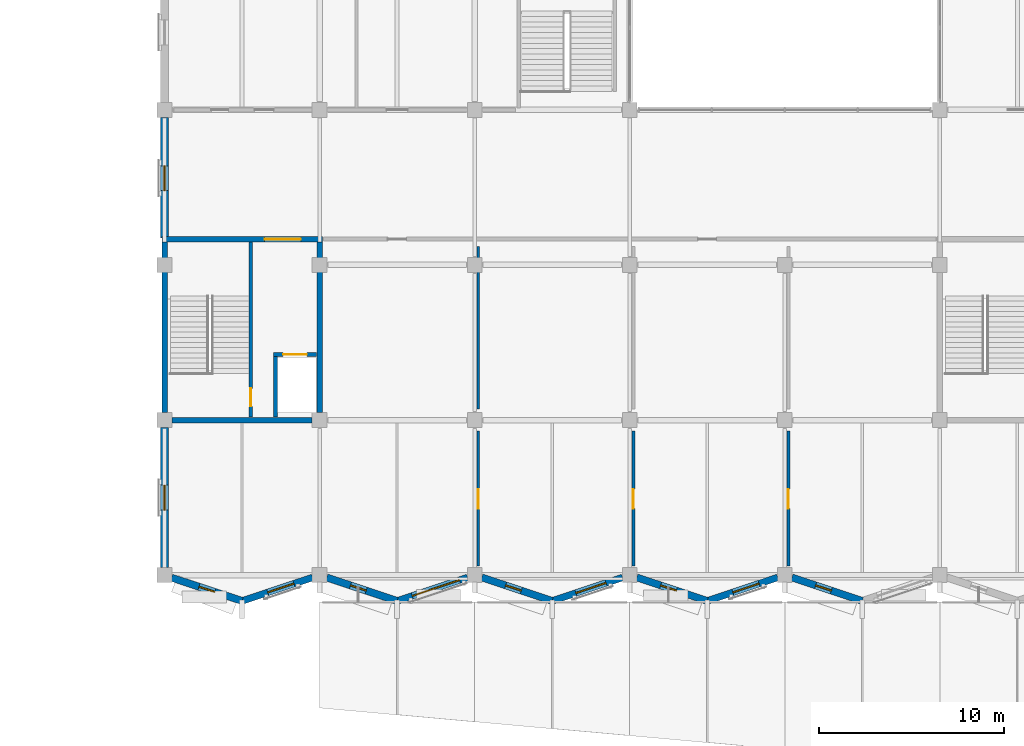
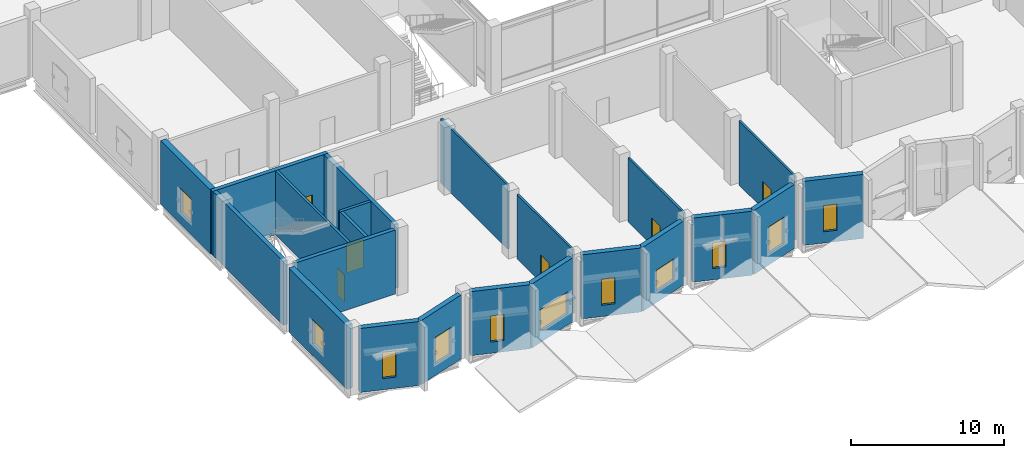
# One storey, part 47 of 72: 22 walls, 11 windows, 6 doors, 17 openings.
"""IFC4 building model written with IfcOpenShell, lengths in metres."""

from ifc_helpers import new_model, si_unit, direction, frame, frame_2d, origin, place, context, subcontext, project, spatial, rectangle, extrude, material, layer, layer_set, type_object, element, fill, save


model = new_model("IFC4")

# Units and contexts
model_context = context("Model", 3, precision=1e-05, world=origin(), true_north=direction((0.0, 1.0)))
body_context = subcontext(model_context, "Body", "Model", "MODEL_VIEW")
ifc_project = project(units=[si_unit("LENGTHUNIT", "METRE"), si_unit("AREAUNIT", "SQUARE_METRE"), si_unit("VOLUMEUNIT", "CUBIC_METRE"), si_unit("PLANEANGLEUNIT", "RADIAN"), si_unit("MASSUNIT", "GRAM", prefix="KILO")], contexts=[model_context])

# Site, building, storey
site_placement = place(None, origin())
site = spatial("IfcSite", under=ifc_project, at=site_placement, CompositionType="ELEMENT")
building_placement = place(site_placement, origin())
building = spatial("IfcBuilding", under=site, at=building_placement, Name="Qawsi Khor Wholesale Market", CompositionType="ELEMENT")
storey_placement = place(building_placement, frame((0.0, 0.0, 6.0)))
storey = spatial("IfcBuildingStorey", under=building, at=storey_placement, Name="L01", CompositionType="ELEMENT", Elevation=6.0)

# Walls
ifc_material_1 = material(Name="Concrete C40/50", Category="concrete")
ifc_layer_1 = layer(ifc_material_1, 0.300048828125, Name="Concrete C40/50")
ifc_layer_set_1 = layer_set([ifc_layer_1], Name="Concrete C40/50")
wall_type_1 = type_object("IfcWallType", Name="Core Shear Wall RC 300 C40/50", PredefinedType="SHEAR", material=ifc_layer_set_1)
wall_1_placement = place(storey_placement, frame((33.195068359375, 8.39990234375, 0.0), z_axis=(0.0, 0.0, 1.0), x_axis=(-1.0, 0.0, 0.0)))
element("IfcWall", 1, at=wall_1_placement, inside=storey, type_object=wall_type_1, Name="Core C01 south shear wall L01", PredefinedType="SHEAR", context=body_context, shape_type="SweptSolid", body=[
    extrude(rectangle(XDim=7.590087890625, YDim=0.300048828125, at=frame_2d((3.794921875, 0.0))), origin(), (0.0, 0.0, 1.0), 5.1201171875),
])
wall_2_placement = place(storey_placement, frame((25.199951171875, 8.804931640625, 0.0), z_axis=(0.0, 0.0, 1.0), x_axis=(0.0, 1.0, 0.0)))
element("IfcWall", 2, at=wall_2_placement, inside=storey, type_object=wall_type_1, Name="Core C01 west shear wall L01", PredefinedType="SHEAR", context=body_context, shape_type="SweptSolid", body=[
    extrude(rectangle(XDim=9.2451171875, YDim=0.300048828125, at=frame_2d((4.62255859375, 0.0))), origin(), (0.0, 0.0, 1.0), 5.1201171875),
])

# Wall, opening, door
wall_3_placement = place(storey_placement, frame((25.050048828125, 18.199951171875, 0.0), z_axis=(0.0, 0.0, 1.0), x_axis=(1.0, 0.0, 0.0)))
wall_3 = element("IfcWall", 3, at=wall_3_placement, inside=storey, type_object=wall_type_1, Name="Core C01 north shear wall L01", PredefinedType="SHEAR", context=body_context, shape_type="SweptSolid", body=[
    extrude(rectangle(XDim=8.699951171875, YDim=0.300048828125, at=frame_2d((4.35009765625, 0.0))), origin(), (0.0, 0.0, 1.0), 5.1201171875),
])
opening_1_placement = place(wall_3_placement, frame((5.570068359375, 0.0, 0.0)))
opening_1 = element("IfcOpeningElement", 4, at=opening_1_placement, cuts=wall_3, Name="Opening ID-01", PredefinedType="OPENING", context=body_context, shape_type="SweptSolid", body=[
    extrude(rectangle(XDim=1.9599609375, YDim=2.199951171875, at=frame_2d((0.97998046875, 1.10009765625))), frame((0.0, 0.159912109375, 0.0), z_axis=(0.0, -1.0, 0.0), x_axis=(1.0, 0.0, 0.0)), (0.0, 0.0, 1.0), 0.320068359375),
])
ifc_material_2 = material(Name="Steel Fire Door", Category="steel")
door_type_1 = type_object("IfcDoorType", Name="Stair & Core Fire Door 1960x2200 FD90S", OperationType="NOTDEFINED", PredefinedType="DOOR", material=ifc_material_2)
door_1_placement = place(opening_1_placement, origin())
door_1 = element("IfcDoor", 5, at=door_1_placement, inside=storey, type_object=door_type_1, Name="Core C01 fire door L01", OperationType="DOUBLE_DOOR_SINGLE_SWING", OverallHeight=2.199951171875, OverallWidth=1.9599609375, PredefinedType="DOOR", context=body_context, shape_type="SweptSolid", body=[
    extrude(rectangle(XDim=1.9599609375, YDim=2.199951171875, at=frame_2d((0.97998046875, 1.10009765625))), frame((0.0, 0.02490234375, 0.0), z_axis=(0.0, -1.0, 0.0), x_axis=(1.0, 0.0, 0.0)), (0.0, 0.0, 1.0), 0.050048828125),
])
fill(opening_1, door_1)

# Walls
wall_4_placement = place(storey_placement, frame((33.60009765625, 18.050048828125, 0.0), z_axis=(0.0, 0.0, 1.0), x_axis=(0.0, -1.0, 0.0)))
element("IfcWall", 6, at=wall_4_placement, inside=storey, type_object=wall_type_1, Name="Core C01 east shear wall L01", PredefinedType="SHEAR", context=body_context, shape_type="SweptSolid", body=[
    extrude(rectangle(XDim=9.2451171875, YDim=0.300048828125, at=frame_2d((4.62255859375, 0.0))), origin(), (0.0, 0.0, 1.0), 5.1201171875),
])
ifc_layer_2 = layer(ifc_material_1, 0.219970703125, Name="Concrete C40/50")
ifc_layer_set_2 = layer_set([ifc_layer_2], Name="Concrete C40/50")
wall_type_2 = type_object("IfcWallType", Name="Lift & Stair Shaft Wall RC 220", PredefinedType="SOLIDWALL", material=ifc_layer_set_2)
wall_5_placement = place(storey_placement, frame((31.2099609375, 8.56005859375, 0.0), z_axis=(0.0, 0.0, 1.0), x_axis=(0.0, 1.0, 0.0)))
element("IfcWall", 7, at=wall_5_placement, inside=storey, type_object=wall_type_2, Name="Lift FF-01 shaft wall W L01", PredefinedType="SOLIDWALL", context=body_context, shape_type="SweptSolid", body=[
    extrude(rectangle(XDim=3.389892578125, YDim=0.219970703125, at=frame_2d((1.69482421875, 0.0))), origin(), (0.0, 0.0, 1.0), 5.1201171875),
])

# Wall, opening, door
wall_6_placement = place(storey_placement, frame((31.10009765625, 11.949951171875, 0.0), z_axis=(0.0, 0.0, 1.0), x_axis=(1.0, 0.0, 0.0)))
wall_6 = element("IfcWall", 8, at=wall_6_placement, inside=storey, type_object=wall_type_2, Name="Lift FF-01 shaft wall N L01", PredefinedType="SOLIDWALL", context=body_context, shape_type="SweptSolid", body=[
    extrude(rectangle(XDim=2.33984375, YDim=0.219970703125, at=frame_2d((1.169921875, 0.0))), origin(), (0.0, 0.0, 1.0), 5.1201171875),
])
opening_2_placement = place(wall_6_placement, frame((0.530029296875, 0.0, 0.0)))
opening_2 = element("IfcOpeningElement", 9, at=opening_2_placement, cuts=wall_6, Name="Opening LD-FF130", PredefinedType="OPENING", context=body_context, shape_type="SweptSolid", body=[
    extrude(rectangle(XDim=1.280029296875, YDim=2.25, at=frame_2d((0.64013671875, 1.125))), frame((0.0, 0.119873046875, 0.0), z_axis=(0.0, -1.0, 0.0), x_axis=(1.0, 0.0, 0.0)), (0.0, 0.0, 1.0), 0.239990234375),
])
ifc_material_3 = material(Name="Brushed Stainless Steel", Category="steel")
door_type_2 = type_object("IfcDoorType", Name="Firefighting Lift Landing Sliding Door 1280x2250 FD90S", OperationType="NOTDEFINED", PredefinedType="DOOR", material=ifc_material_3)
door_2_placement = place(opening_2_placement, origin())
door_2 = element("IfcDoor", 10, at=door_2_placement, inside=storey, type_object=door_type_2, Name="Lift FF-01 landing door L01", OperationType="SLIDING_TO_RIGHT", OverallHeight=2.25, OverallWidth=1.280029296875, PredefinedType="DOOR", context=body_context, shape_type="SweptSolid", body=[
    extrude(rectangle(XDim=1.280029296875, YDim=2.25, at=frame_2d((0.64013671875, 1.125))), frame((0.0, 0.02490234375, 0.0), z_axis=(0.0, -1.0, 0.0), x_axis=(1.0, 0.0, 0.0)), (0.0, 0.0, 1.0), 0.050048828125),
])
fill(opening_2, door_2)

ifc_material_4 = material(Name="Gypsum Board on Metal Stud", Category="gypsum")
ifc_layer_3 = layer(ifc_material_4, 0.14990234375, Name="Gypsum Board on Metal Stud")
ifc_layer_set_3 = layer_set([ifc_layer_3], Name="Gypsum Board on Metal Stud")
wall_type_3 = type_object("IfcWallType", Name="Office Partition Wall 150", PredefinedType="PARTITIONING", material=ifc_layer_set_3)
wall_7_placement = place(storey_placement, frame((42.199951171875, 0.5, 0.0), z_axis=(0.0, 0.0, 1.0), x_axis=(0.0, 1.0, 0.0)))
wall_7 = element("IfcWall", 11, at=wall_7_placement, inside=storey, type_object=wall_type_3, Name="PW-L01-043", PredefinedType="PARTITIONING", context=body_context, shape_type="SweptSolid", body=[
    extrude(rectangle(XDim=7.300048828125, YDim=0.14990234375, at=frame_2d((3.64990234375, 0.0))), origin(), (0.0, 0.0, 1.0), 5.1201171875),
])
opening_3_placement = place(wall_7_placement, frame((3.10009765625, 0.0, 0.0)))
opening_3 = element("IfcOpeningElement", 12, at=opening_3_placement, cuts=wall_7, Name="Opening ID-07", PredefinedType="OPENING", context=body_context, shape_type="SweptSolid", body=[
    extrude(rectangle(XDim=1.06005859375, YDim=2.179931640625, at=frame_2d((0.530029296875, 1.08984375))), frame((0.0, 0.0849609375, 0.0), z_axis=(0.0, -1.0, 0.0), x_axis=(1.0, 0.0, 0.0)), (0.0, 0.0, 1.0), 0.169921875),
])
ifc_material_5 = material(Name="Hardwood Timber Veneer", Category="wood")
door_type_3 = type_object("IfcDoorType", Name="Clearinghouse Suite Door 1060x2180", OperationType="NOTDEFINED", PredefinedType="DOOR", material=ifc_material_5)
door_3_placement = place(opening_3_placement, origin())
door_3 = element("IfcDoor", 13, at=door_3_placement, inside=storey, type_object=door_type_3, Name="Clearinghouse Suite Door 1060x2180 L01-050", OperationType="SINGLE_SWING_RIGHT", OverallHeight=2.179931640625, OverallWidth=1.06005859375, PredefinedType="DOOR", context=body_context, shape_type="SweptSolid", body=[
    extrude(rectangle(XDim=1.06005859375, YDim=2.179931640625, at=frame_2d((0.530029296875, 1.08984375))), frame((0.0, 0.02490234375, 0.0), z_axis=(0.0, -1.0, 0.0), x_axis=(1.0, 0.0, 0.0)), (0.0, 0.0, 1.0), 0.050048828125),
])
fill(opening_3, door_3)

# Wall
wall_8_placement = place(storey_placement, frame((42.199951171875, 9.0, 0.0), z_axis=(0.0, 0.0, 1.0), x_axis=(0.0, 1.0, 0.0)))
element("IfcWall", 14, at=wall_8_placement, inside=storey, type_object=wall_type_3, Name="PW-L01-044", PredefinedType="PARTITIONING", context=body_context, shape_type="SweptSolid", body=[
    extrude(rectangle(XDim=8.800048828125, YDim=0.14990234375, at=frame_2d((4.39990234375, 0.0))), origin(), (0.0, 0.0, 1.0), 5.1201171875),
])

# Wall, opening, door
wall_9_placement = place(storey_placement, frame((50.60009765625, 0.5, 0.0), z_axis=(0.0, 0.0, 1.0), x_axis=(0.0, 1.0, 0.0)))
wall_9 = element("IfcWall", 15, at=wall_9_placement, inside=storey, type_object=wall_type_3, Name="PW-L01-045", PredefinedType="PARTITIONING", context=body_context, shape_type="SweptSolid", body=[
    extrude(rectangle(XDim=7.300048828125, YDim=0.14990234375, at=frame_2d((3.64990234375, 0.0))), origin(), (0.0, 0.0, 1.0), 5.1201171875),
])
opening_4_placement = place(wall_9_placement, frame((3.10009765625, 0.0, 0.0)))
opening_4 = element("IfcOpeningElement", 16, at=opening_4_placement, cuts=wall_9, Name="Opening ID-07", PredefinedType="OPENING", context=body_context, shape_type="SweptSolid", body=[
    extrude(rectangle(XDim=1.06005859375, YDim=2.179931640625, at=frame_2d((0.530029296875, 1.08984375))), frame((0.0, 0.0849609375, 0.0), z_axis=(0.0, -1.0, 0.0), x_axis=(1.0, 0.0, 0.0)), (0.0, 0.0, 1.0), 0.169921875),
])
door_4_placement = place(opening_4_placement, origin())
door_4 = element("IfcDoor", 17, at=door_4_placement, inside=storey, type_object=door_type_3, Name="Clearinghouse Suite Door 1060x2180 L01-051", OperationType="SINGLE_SWING_LEFT", OverallHeight=2.179931640625, OverallWidth=1.06005859375, PredefinedType="DOOR", context=body_context, shape_type="SweptSolid", body=[
    extrude(rectangle(XDim=1.06005859375, YDim=2.179931640625, at=frame_2d((0.530029296875, 1.08984375))), frame((0.0, 0.02490234375, 0.0), z_axis=(0.0, -1.0, 0.0), x_axis=(1.0, 0.0, 0.0)), (0.0, 0.0, 1.0), 0.050048828125),
])
fill(opening_4, door_4)

wall_10_placement = place(storey_placement, frame((59.0, 0.5, 0.0), z_axis=(0.0, 0.0, 1.0), x_axis=(0.0, 1.0, 0.0)))
wall_10 = element("IfcWall", 18, at=wall_10_placement, inside=storey, type_object=wall_type_3, Name="PW-L01-047", PredefinedType="PARTITIONING", context=body_context, shape_type="SweptSolid", body=[
    extrude(rectangle(XDim=7.300048828125, YDim=0.14990234375, at=frame_2d((3.64990234375, 0.0))), origin(), (0.0, 0.0, 1.0), 5.1201171875),
])
opening_5_placement = place(wall_10_placement, frame((3.10009765625, 0.0, 0.0)))
opening_5 = element("IfcOpeningElement", 19, at=opening_5_placement, cuts=wall_10, Name="Opening ID-07", PredefinedType="OPENING", context=body_context, shape_type="SweptSolid", body=[
    extrude(rectangle(XDim=1.06005859375, YDim=2.179931640625, at=frame_2d((0.530029296875, 1.08984375))), frame((0.0, 0.0849609375, 0.0), z_axis=(0.0, -1.0, 0.0), x_axis=(1.0, 0.0, 0.0)), (0.0, 0.0, 1.0), 0.169921875),
])
door_5_placement = place(opening_5_placement, origin())
door_5 = element("IfcDoor", 20, at=door_5_placement, inside=storey, type_object=door_type_3, Name="Clearinghouse Suite Door 1060x2180 L01-052", OperationType="SINGLE_SWING_RIGHT", OverallHeight=2.179931640625, OverallWidth=1.06005859375, PredefinedType="DOOR", context=body_context, shape_type="SweptSolid", body=[
    extrude(rectangle(XDim=1.06005859375, YDim=2.179931640625, at=frame_2d((0.530029296875, 1.08984375))), frame((0.0, 0.02490234375, 0.0), z_axis=(0.0, -1.0, 0.0), x_axis=(1.0, 0.0, 0.0)), (0.0, 0.0, 1.0), 0.050048828125),
])
fill(opening_5, door_5)

# Wall, opening, window
ifc_layer_4 = layer(ifc_material_1, 0.429931640625, Name="Concrete C40/50")
ifc_layer_set_4 = layer_set([ifc_layer_4], Name="Concrete C40/50")
wall_type_4 = type_object("IfcWallType", Name="Sculpted Ribbed Concrete Facade Wall 430", PredefinedType="SOLIDWALL", material=ifc_layer_set_4)
wall_11_placement = place(storey_placement, frame((25.199951171875, 0.405029296875, 0.0), z_axis=(0.0, 0.0, 1.0), x_axis=(0.0, 1.0, 0.0)))
wall_11 = element("IfcWall", 21, at=wall_11_placement, inside=storey, type_object=wall_type_4, Name="EW-L01-SWW-0", PredefinedType="SOLIDWALL", context=body_context, shape_type="SweptSolid", body=[
    extrude(rectangle(XDim=7.590087890625, YDim=0.429931640625, at=frame_2d((3.794921875, 0.0))), origin(), (0.0, 0.0, 1.0), 5.1201171875),
])
opening_6_placement = place(wall_11_placement, frame((3.1201171875, 0.0, 0.949951171875)))
opening_6 = element("IfcOpeningElement", 22, at=opening_6_placement, cuts=wall_11, Name="Opening W-08", PredefinedType="OPENING", context=body_context, shape_type="SweptSolid", body=[
    extrude(rectangle(XDim=1.35009765625, YDim=1.949951171875, at=frame_2d((0.675048828125, 0.97509765625))), frame((0.0, 0.224853515625, 0.0), z_axis=(0.0, -1.0, 0.0), x_axis=(1.0, 0.0, 0.0)), (0.0, 0.0, 1.0), 0.449951171875),
])
ifc_material_6 = material(Name="Thermally Broken Aluminium & Low-E Glass", Category="aluminium")
window_type_1 = type_object("IfcWindowType", Name="Win W-08 Prayer & Majlis Screened 1350x1950", PartitioningType="SINGLE_PANEL", PredefinedType="WINDOW", material=ifc_material_6)
window_1_placement = place(opening_6_placement, origin())
window_1 = element("IfcWindow", 23, at=window_1_placement, inside=storey, type_object=window_type_1, Name="Win W-08 Prayer & Majlis Screened 1350x1950 111", OverallHeight=1.949951171875, OverallWidth=1.35009765625, PartitioningType="SINGLE_PANEL", PredefinedType="WINDOW", context=body_context, shape_type="SweptSolid", body=[
    extrude(rectangle(XDim=1.35009765625, YDim=1.949951171875, at=frame_2d((0.675048828125, 0.97509765625))), frame((0.0, 0.030029296875, 0.0), z_axis=(0.0, -1.0, 0.0), x_axis=(1.0, 0.0, 0.0)), (0.0, 0.0, 1.0), 0.06005859375),
])
fill(opening_6, window_1)

wall_12_placement = place(storey_placement, frame((25.199951171875, 18.25, 0.0), z_axis=(0.0, 0.0, 1.0), x_axis=(0.0, 1.0, 0.0)))
wall_12 = element("IfcWall", 24, at=wall_12_placement, inside=storey, type_object=wall_type_4, Name="EW-L01-SWW-2", PredefinedType="SOLIDWALL", context=body_context, shape_type="SweptSolid", body=[
    extrude(rectangle(XDim=6.544921875, YDim=0.429931640625, at=frame_2d((3.2724609375, 0.0))), origin(), (0.0, 0.0, 1.0), 5.1201171875),
])
opening_7_placement = place(wall_12_placement, frame((2.574951171875, 0.0, 0.949951171875)))
opening_7 = element("IfcOpeningElement", 25, at=opening_7_placement, cuts=wall_12, Name="Opening W-08", PredefinedType="OPENING", context=body_context, shape_type="SweptSolid", body=[
    extrude(rectangle(XDim=1.35009765625, YDim=1.949951171875, at=frame_2d((0.675048828125, 0.97509765625))), frame((0.0, 0.224853515625, 0.0), z_axis=(0.0, -1.0, 0.0), x_axis=(1.0, 0.0, 0.0)), (0.0, 0.0, 1.0), 0.449951171875),
])
window_2_placement = place(opening_7_placement, origin())
window_2 = element("IfcWindow", 26, at=window_2_placement, inside=storey, type_object=window_type_1, Name="Win W-08 Prayer & Majlis Screened 1350x1950 112", OverallHeight=1.949951171875, OverallWidth=1.35009765625, PartitioningType="SINGLE_PANEL", PredefinedType="WINDOW", context=body_context, shape_type="SweptSolid", body=[
    extrude(rectangle(XDim=1.35009765625, YDim=1.949951171875, at=frame_2d((0.675048828125, 0.97509765625))), frame((0.0, 0.030029296875, 0.0), z_axis=(0.0, -1.0, 0.0), x_axis=(1.0, 0.0, 0.0)), (0.0, 0.0, 1.0), 0.06005859375),
])
fill(opening_7, window_2)

# Wall, opening, door
ifc_layer_5 = layer(ifc_material_1, 0.18994140625, Name="Concrete C40/50")
ifc_layer_set_5 = layer_set([ifc_layer_5], Name="Concrete C40/50")
wall_type_5 = type_object("IfcWallType", Name="Stairwell Enclosure Wall RC 190", PredefinedType="SOLIDWALL", material=ifc_layer_set_5)
wall_13_placement = place(storey_placement, frame((29.8798828125, 8.56005859375, 0.0), z_axis=(0.0, 0.0, 1.0), x_axis=(0.0, 1.0, 0.0)))
wall_13 = element("IfcWall", 27, at=wall_13_placement, inside=storey, type_object=wall_type_5, Name="Core C01 stairwell enclosure wall L01", PredefinedType="SOLIDWALL", context=body_context, shape_type="SweptSolid", body=[
    extrude(rectangle(XDim=9.47998046875, YDim=0.18994140625, at=frame_2d((4.739990234375, 0.0))), origin(), (0.0, 0.0, 1.0), 5.1201171875),
])
opening_8_placement = place(wall_13_placement, frame((0.580078125, 0.0, 0.0)))
opening_8 = element("IfcOpeningElement", 28, at=opening_8_placement, cuts=wall_13, Name="Opening ID-17", PredefinedType="OPENING", context=body_context, shape_type="SweptSolid", body=[
    extrude(rectangle(XDim=0.97998046875, YDim=2.14990234375, at=frame_2d((0.489990234375, 1.074951171875))), frame((0.0, 0.10498046875, 0.0), z_axis=(0.0, -1.0, 0.0), x_axis=(1.0, 0.0, 0.0)), (0.0, 0.0, 1.0), 0.2099609375),
])
door_type_4 = type_object("IfcDoorType", Name="Core Stair Lobby Fire Door 980x2150 FD120S", OperationType="NOTDEFINED", PredefinedType="DOOR", material=ifc_material_2)
door_6_placement = place(opening_8_placement, origin())
door_6 = element("IfcDoor", 29, at=door_6_placement, inside=storey, type_object=door_type_4, Name="Core C01 stair enclosure fire door L01", OperationType="SINGLE_SWING_LEFT", OverallHeight=2.14990234375, OverallWidth=0.97998046875, PredefinedType="DOOR", context=body_context, shape_type="SweptSolid", body=[
    extrude(rectangle(XDim=0.97998046875, YDim=2.14990234375, at=frame_2d((0.489990234375, 1.074951171875))), frame((0.0, 0.02490234375, 0.0), z_axis=(0.0, -1.0, 0.0), x_axis=(1.0, 0.0, 0.0)), (0.0, 0.0, 1.0), 0.050048828125),
])
fill(opening_8, door_6)

# Wall, opening, window
ifc_layer_6 = layer(ifc_material_1, 0.3701171875, Name="Concrete C40/50")
ifc_layer_set_6 = layer_set([ifc_layer_6], Name="Concrete C40/50")
wall_type_6 = type_object("IfcWallType", Name="Turned-Bay Concrete Facade Wall 370", PredefinedType="SOLIDWALL", material=ifc_layer_set_6)
wall_14_placement = place(storey_placement, frame((33.2158203125, -0.128173828125, 0.0), z_axis=(0.0, 0.0, 1.0), x_axis=(-0.94870150572, -0.316173137767, 0.0)))
wall_14 = element("IfcWall", 30, at=wall_14_placement, inside=storey, type_object=wall_type_6, Name="EW-L01-SBAY-02", PredefinedType="SOLIDWALL", context=body_context, shape_type="SweptSolid", body=[
    extrude(rectangle(XDim=4.022216796875, YDim=0.3701171875, at=frame_2d((2.01123046875, 0.0))), origin(), (0.0, 0.0, 1.0), 5.1201171875),
])
opening_9_placement = place(wall_14_placement, frame((1.05810546875, 0.0, 0.89990234375)))
opening_9 = element("IfcOpeningElement", 31, at=opening_9_placement, cuts=wall_14, Name="Opening W-04", PredefinedType="OPENING", context=body_context, shape_type="SweptSolid", body=[
    extrude(rectangle(XDim=1.5, YDim=2.14990234375, at=frame_2d((0.75, 1.074951171875))), frame((0.0, 0.195068359375, 0.0), z_axis=(0.0, -1.0, 0.0), x_axis=(1.0, 0.0, 0.0)), (0.0, 0.0, 1.0), 0.39013671875),
])
window_type_2 = type_object("IfcWindowType", Name="Win W-04 Turned-Bay Wide 1500x2150", PartitioningType="SINGLE_PANEL", PredefinedType="WINDOW", material=ifc_material_6)
window_3_placement = place(opening_9_placement, origin())
window_3 = element("IfcWindow", 32, at=window_3_placement, inside=storey, type_object=window_type_2, Name="Win W-04 Turned-Bay Wide 1500x2150 002", OverallHeight=2.14990234375, OverallWidth=1.5, PartitioningType="SINGLE_PANEL", PredefinedType="WINDOW", context=body_context, shape_type="SweptSolid", body=[
    extrude(rectangle(XDim=1.5, YDim=2.14990234375, at=frame_2d((0.75, 1.074951171875))), frame((0.0, 0.030029296875, 0.0), z_axis=(0.0, -1.0, 0.0), x_axis=(1.0, 0.0, 0.0)), (0.0, 0.0, 1.0), 0.06005859375),
])
fill(opening_9, window_3)

wall_15_placement = place(storey_placement, frame((41.61572265625, -0.128173828125, 0.0), z_axis=(0.0, 0.0, 1.0), x_axis=(-0.948695437545, -0.316191345203, 0.0)))
wall_15 = element("IfcWall", 33, at=wall_15_placement, inside=storey, type_object=wall_type_6, Name="EW-L01-SBAY-04", PredefinedType="SOLIDWALL", context=body_context, shape_type="SweptSolid", body=[
    extrude(rectangle(XDim=4.02197265625, YDim=0.3701171875, at=frame_2d((2.010986328125, 0.0))), origin(), (0.0, 0.0, 1.0), 5.1201171875),
])
opening_10_placement = place(wall_15_placement, frame((0.4580078125, 0.0, 0.89990234375)))
opening_10 = element("IfcOpeningElement", 34, at=opening_10_placement, cuts=wall_15, Name="Opening W-09", PredefinedType="OPENING", context=body_context, shape_type="SweptSolid", body=[
    extrude(rectangle(XDim=2.699951171875, YDim=1.75, at=frame_2d((1.35009765625, 0.875))), frame((0.0, 0.195068359375, 0.0), z_axis=(0.0, -1.0, 0.0), x_axis=(1.0, 0.0, 0.0)), (0.0, 0.0, 1.0), 0.39013671875),
])
window_type_3 = type_object("IfcWindowType", Name="Win W-09 Clearinghouse Wide 2700x1750", PartitioningType="SINGLE_PANEL", PredefinedType="WINDOW", material=ifc_material_6)
window_4_placement = place(opening_10_placement, origin())
window_4 = element("IfcWindow", 35, at=window_4_placement, inside=storey, type_object=window_type_3, Name="Win W-09 Clearinghouse Wide 2700x1750 004", OverallHeight=1.75, OverallWidth=2.699951171875, PartitioningType="SINGLE_PANEL", PredefinedType="WINDOW", context=body_context, shape_type="SweptSolid", body=[
    extrude(rectangle(XDim=2.699951171875, YDim=1.75, at=frame_2d((1.35009765625, 0.875))), frame((0.0, 0.030029296875, 0.0), z_axis=(0.0, -1.0, 0.0), x_axis=(1.0, 0.0, 0.0)), (0.0, 0.0, 1.0), 0.06005859375),
])
fill(opening_10, window_4)

wall_16_placement = place(storey_placement, frame((50.015869140625, -0.128173828125, 0.0), z_axis=(0.0, 0.0, 1.0), x_axis=(-0.94870150572, -0.316173137767, 0.0)))
wall_16 = element("IfcWall", 36, at=wall_16_placement, inside=storey, type_object=wall_type_6, Name="EW-L01-SBAY-06", PredefinedType="SOLIDWALL", context=body_context, shape_type="SweptSolid", body=[
    extrude(rectangle(XDim=4.022216796875, YDim=0.3701171875, at=frame_2d((2.01123046875, 0.0))), origin(), (0.0, 0.0, 1.0), 5.1201171875),
])
opening_11_placement = place(wall_16_placement, frame((0.947998046875, 0.0, 0.89990234375)))
opening_11 = element("IfcOpeningElement", 37, at=opening_11_placement, cuts=wall_16, Name="Opening W-23", PredefinedType="OPENING", context=body_context, shape_type="SweptSolid", body=[
    extrude(rectangle(XDim=1.719970703125, YDim=1.699951171875, at=frame_2d((0.85986328125, 0.85009765625))), frame((0.0, 0.195068359375, 0.0), z_axis=(0.0, -1.0, 0.0), x_axis=(1.0, 0.0, 0.0)), (0.0, 0.0, 1.0), 0.39013671875),
])
window_type_4 = type_object("IfcWindowType", Name="Win W-23 East Office Punched 1720x1700", PartitioningType="SINGLE_PANEL", PredefinedType="WINDOW", material=ifc_material_6)
window_5_placement = place(opening_11_placement, origin())
window_5 = element("IfcWindow", 38, at=window_5_placement, inside=storey, type_object=window_type_4, Name="Win W-23 East Office Punched 1720x1700 006", OverallHeight=1.699951171875, OverallWidth=1.719970703125, PartitioningType="SINGLE_PANEL", PredefinedType="WINDOW", context=body_context, shape_type="SweptSolid", body=[
    extrude(rectangle(XDim=1.719970703125, YDim=1.699951171875, at=frame_2d((0.85986328125, 0.85009765625))), frame((0.0, 0.030029296875, 0.0), z_axis=(0.0, -1.0, 0.0), x_axis=(1.0, 0.0, 0.0)), (0.0, 0.0, 1.0), 0.06005859375),
])
fill(opening_11, window_5)

wall_17_placement = place(storey_placement, frame((58.415771484375, -0.128173828125, 0.0), z_axis=(0.0, 0.0, 1.0), x_axis=(-0.948695437545, -0.316191345203, 0.0)))
wall_17 = element("IfcWall", 39, at=wall_17_placement, inside=storey, type_object=wall_type_6, Name="EW-L01-SBAY-08", PredefinedType="SOLIDWALL", context=body_context, shape_type="SweptSolid", body=[
    extrude(rectangle(XDim=4.02197265625, YDim=0.3701171875, at=frame_2d((2.010986328125, 0.0))), origin(), (0.0, 0.0, 1.0), 5.1201171875),
])
opening_12_placement = place(wall_17_placement, frame((1.05810546875, 0.0, 0.89990234375)))
opening_12 = element("IfcOpeningElement", 40, at=opening_12_placement, cuts=wall_17, Name="Opening W-04", PredefinedType="OPENING", context=body_context, shape_type="SweptSolid", body=[
    extrude(rectangle(XDim=1.5, YDim=2.14990234375, at=frame_2d((0.75, 1.074951171875))), frame((0.0, 0.195068359375, 0.0), z_axis=(0.0, -1.0, 0.0), x_axis=(1.0, 0.0, 0.0)), (0.0, 0.0, 1.0), 0.39013671875),
])
window_6_placement = place(opening_12_placement, origin())
window_6 = element("IfcWindow", 41, at=window_6_placement, inside=storey, type_object=window_type_2, Name="Win W-04 Turned-Bay Wide 1500x2150 008", OverallHeight=2.14990234375, OverallWidth=1.5, PartitioningType="SINGLE_PANEL", PredefinedType="WINDOW", context=body_context, shape_type="SweptSolid", body=[
    extrude(rectangle(XDim=1.5, YDim=2.14990234375, at=frame_2d((0.75, 1.074951171875))), frame((0.0, 0.030029296875, 0.0), z_axis=(0.0, -1.0, 0.0), x_axis=(1.0, 0.0, 0.0)), (0.0, 0.0, 1.0), 0.06005859375),
])
fill(opening_12, window_6)

ifc_layer_7 = layer(ifc_material_1, 0.389892578125, Name="Concrete C40/50")
ifc_layer_set_7 = layer_set([ifc_layer_7], Name="Concrete C40/50")
wall_type_7 = type_object("IfcWallType", Name="Turned-Bay Concrete Facade Wall 390", PredefinedType="SOLIDWALL", material=ifc_layer_set_7)
wall_18_placement = place(storey_placement, frame((29.39990234375, -1.39990234375, 0.0), z_axis=(0.0, 0.0, 1.0), x_axis=(-0.949812179399, 0.312820753571, 0.0)))
wall_18 = element("IfcWall", 42, at=wall_18_placement, inside=storey, type_object=wall_type_7, Name="EW-L01-SBAY-01", PredefinedType="SOLIDWALL", context=body_context, shape_type="SweptSolid", body=[
    extrude(rectangle(XDim=4.0224609375, YDim=0.389892578125, at=frame_2d((2.01123046875, 0.0))), origin(), (0.0, 0.0, 1.0), 5.1201171875),
])
opening_13_placement = place(wall_18_placement, frame((1.553955078125, 0.0, 0.89990234375)))
opening_13 = element("IfcOpeningElement", 43, at=opening_13_placement, cuts=wall_18, Name="Opening W-02", PredefinedType="OPENING", context=body_context, shape_type="SweptSolid", body=[
    extrude(rectangle(XDim=0.89990234375, YDim=2.10009765625, at=frame_2d((0.449951171875, 1.050048828125))), frame((0.0, 0.204833984375, 0.0), z_axis=(0.0, -1.0, 0.0), x_axis=(1.0, 0.0, 0.0)), (0.0, 0.0, 1.0), 0.409912109375),
])
window_type_5 = type_object("IfcWindowType", Name="Win W-02 Deep-Set Narrow 900x2100", PartitioningType="SINGLE_PANEL", PredefinedType="WINDOW", material=ifc_material_6)
window_7_placement = place(opening_13_placement, origin())
window_7 = element("IfcWindow", 44, at=window_7_placement, inside=storey, type_object=window_type_5, Name="Win W-02 Deep-Set Narrow 900x2100 001", OverallHeight=2.10009765625, OverallWidth=0.89990234375, PartitioningType="SINGLE_PANEL", PredefinedType="WINDOW", context=body_context, shape_type="SweptSolid", body=[
    extrude(rectangle(XDim=0.89990234375, YDim=2.10009765625, at=frame_2d((0.449951171875, 1.050048828125))), frame((0.0, 0.030029296875, 0.0), z_axis=(0.0, -1.0, 0.0), x_axis=(1.0, 0.0, 0.0)), (0.0, 0.0, 1.0), 0.06005859375),
])
fill(opening_13, window_7)

wall_19_placement = place(storey_placement, frame((37.800048828125, -1.39990234375, 0.0), z_axis=(0.0, 0.0, 1.0), x_axis=(-0.94870150572, 0.316173137767, 0.0)))
wall_19 = element("IfcWall", 45, at=wall_19_placement, inside=storey, type_object=wall_type_7, Name="EW-L01-SBAY-03", PredefinedType="SOLIDWALL", context=body_context, shape_type="SweptSolid", body=[
    extrude(rectangle(XDim=4.022216796875, YDim=0.389892578125, at=frame_2d((2.01123046875, 0.0))), origin(), (0.0, 0.0, 1.0), 5.1201171875),
])
opening_14_placement = place(wall_19_placement, frame((1.762939453125, 0.0, 0.89990234375)))
opening_14 = element("IfcOpeningElement", 46, at=opening_14_placement, cuts=wall_19, Name="Opening W-02", PredefinedType="OPENING", context=body_context, shape_type="SweptSolid", body=[
    extrude(rectangle(XDim=0.89990234375, YDim=2.10009765625, at=frame_2d((0.449951171875, 1.050048828125))), frame((0.0, 0.204833984375, 0.0), z_axis=(0.0, -1.0, 0.0), x_axis=(1.0, 0.0, 0.0)), (0.0, 0.0, 1.0), 0.409912109375),
])
window_8_placement = place(opening_14_placement, origin())
window_8 = element("IfcWindow", 47, at=window_8_placement, inside=storey, type_object=window_type_5, Name="Win W-02 Deep-Set Narrow 900x2100 003", OverallHeight=2.10009765625, OverallWidth=0.89990234375, PartitioningType="SINGLE_PANEL", PredefinedType="WINDOW", context=body_context, shape_type="SweptSolid", body=[
    extrude(rectangle(XDim=0.89990234375, YDim=2.10009765625, at=frame_2d((0.449951171875, 1.050048828125))), frame((0.0, 0.030029296875, 0.0), z_axis=(0.0, -1.0, 0.0), x_axis=(1.0, 0.0, 0.0)), (0.0, 0.0, 1.0), 0.06005859375),
])
fill(opening_14, window_8)

wall_20_placement = place(storey_placement, frame((46.199951171875, -1.39990234375, 0.0), z_axis=(0.0, 0.0, 1.0), x_axis=(-0.948695437545, 0.316191345203, 0.0)))
wall_20 = element("IfcWall", 48, at=wall_20_placement, inside=storey, type_object=wall_type_7, Name="EW-L01-SBAY-05", PredefinedType="SOLIDWALL", context=body_context, shape_type="SweptSolid", body=[
    extrude(rectangle(XDim=4.02197265625, YDim=0.389892578125, at=frame_2d((2.010986328125, 0.0))), origin(), (0.0, 0.0, 1.0), 5.1201171875),
])
opening_15_placement = place(wall_20_placement, frame((1.762939453125, 0.0, 0.89990234375)))
opening_15 = element("IfcOpeningElement", 49, at=opening_15_placement, cuts=wall_20, Name="Opening W-02", PredefinedType="OPENING", context=body_context, shape_type="SweptSolid", body=[
    extrude(rectangle(XDim=0.89990234375, YDim=2.10009765625, at=frame_2d((0.449951171875, 1.050048828125))), frame((0.0, 0.204833984375, 0.0), z_axis=(0.0, -1.0, 0.0), x_axis=(1.0, 0.0, 0.0)), (0.0, 0.0, 1.0), 0.409912109375),
])
window_9_placement = place(opening_15_placement, origin())
window_9 = element("IfcWindow", 50, at=window_9_placement, inside=storey, type_object=window_type_5, Name="Win W-02 Deep-Set Narrow 900x2100 005", OverallHeight=2.10009765625, OverallWidth=0.89990234375, PartitioningType="SINGLE_PANEL", PredefinedType="WINDOW", context=body_context, shape_type="SweptSolid", body=[
    extrude(rectangle(XDim=0.89990234375, YDim=2.10009765625, at=frame_2d((0.449951171875, 1.050048828125))), frame((0.0, 0.030029296875, 0.0), z_axis=(0.0, -1.0, 0.0), x_axis=(1.0, 0.0, 0.0)), (0.0, 0.0, 1.0), 0.06005859375),
])
fill(opening_15, window_9)

wall_21_placement = place(storey_placement, frame((54.60009765625, -1.39990234375, 0.0), z_axis=(0.0, 0.0, 1.0), x_axis=(-0.94870150572, 0.316173137767, 0.0)))
wall_21 = element("IfcWall", 51, at=wall_21_placement, inside=storey, type_object=wall_type_7, Name="EW-L01-SBAY-07", PredefinedType="SOLIDWALL", context=body_context, shape_type="SweptSolid", body=[
    extrude(rectangle(XDim=4.022216796875, YDim=0.389892578125, at=frame_2d((2.01123046875, 0.0))), origin(), (0.0, 0.0, 1.0), 5.1201171875),
])
opening_16_placement = place(wall_21_placement, frame((1.762939453125, 0.0, 0.89990234375)))
opening_16 = element("IfcOpeningElement", 52, at=opening_16_placement, cuts=wall_21, Name="Opening W-02", PredefinedType="OPENING", context=body_context, shape_type="SweptSolid", body=[
    extrude(rectangle(XDim=0.89990234375, YDim=2.10009765625, at=frame_2d((0.449951171875, 1.050048828125))), frame((0.0, 0.204833984375, 0.0), z_axis=(0.0, -1.0, 0.0), x_axis=(1.0, 0.0, 0.0)), (0.0, 0.0, 1.0), 0.409912109375),
])
window_10_placement = place(opening_16_placement, origin())
window_10 = element("IfcWindow", 53, at=window_10_placement, inside=storey, type_object=window_type_5, Name="Win W-02 Deep-Set Narrow 900x2100 007", OverallHeight=2.10009765625, OverallWidth=0.89990234375, PartitioningType="SINGLE_PANEL", PredefinedType="WINDOW", context=body_context, shape_type="SweptSolid", body=[
    extrude(rectangle(XDim=0.89990234375, YDim=2.10009765625, at=frame_2d((0.449951171875, 1.050048828125))), frame((0.0, 0.030029296875, 0.0), z_axis=(0.0, -1.0, 0.0), x_axis=(1.0, 0.0, 0.0)), (0.0, 0.0, 1.0), 0.06005859375),
])
fill(opening_16, window_10)

wall_22_placement = place(storey_placement, frame((63.0, -1.39990234375, 0.0), z_axis=(0.0, 0.0, 1.0), x_axis=(-0.94870150572, 0.316173137767, 0.0)))
wall_22 = element("IfcWall", 54, at=wall_22_placement, inside=storey, type_object=wall_type_7, Name="EW-L01-SBAY-09", PredefinedType="SOLIDWALL", context=body_context, shape_type="SweptSolid", body=[
    extrude(rectangle(XDim=4.022216796875, YDim=0.389892578125, at=frame_2d((2.01123046875, 0.0))), origin(), (0.0, 0.0, 1.0), 5.1201171875),
])
opening_17_placement = place(wall_22_placement, frame((1.762939453125, 0.0, 0.89990234375)))
opening_17 = element("IfcOpeningElement", 55, at=opening_17_placement, cuts=wall_22, Name="Opening W-02", PredefinedType="OPENING", context=body_context, shape_type="SweptSolid", body=[
    extrude(rectangle(XDim=0.89990234375, YDim=2.10009765625, at=frame_2d((0.449951171875, 1.050048828125))), frame((0.0, 0.204833984375, 0.0), z_axis=(0.0, -1.0, 0.0), x_axis=(1.0, 0.0, 0.0)), (0.0, 0.0, 1.0), 0.409912109375),
])
window_11_placement = place(opening_17_placement, origin())
window_11 = element("IfcWindow", 56, at=window_11_placement, inside=storey, type_object=window_type_5, Name="Win W-02 Deep-Set Narrow 900x2100 009", OverallHeight=2.10009765625, OverallWidth=0.89990234375, PartitioningType="SINGLE_PANEL", PredefinedType="WINDOW", context=body_context, shape_type="SweptSolid", body=[
    extrude(rectangle(XDim=0.89990234375, YDim=2.10009765625, at=frame_2d((0.449951171875, 1.050048828125))), frame((0.0, 0.030029296875, 0.0), z_axis=(0.0, -1.0, 0.0), x_axis=(1.0, 0.0, 0.0)), (0.0, 0.0, 1.0), 0.06005859375),
])
fill(opening_17, window_11)

save(model, "model.ifc")
